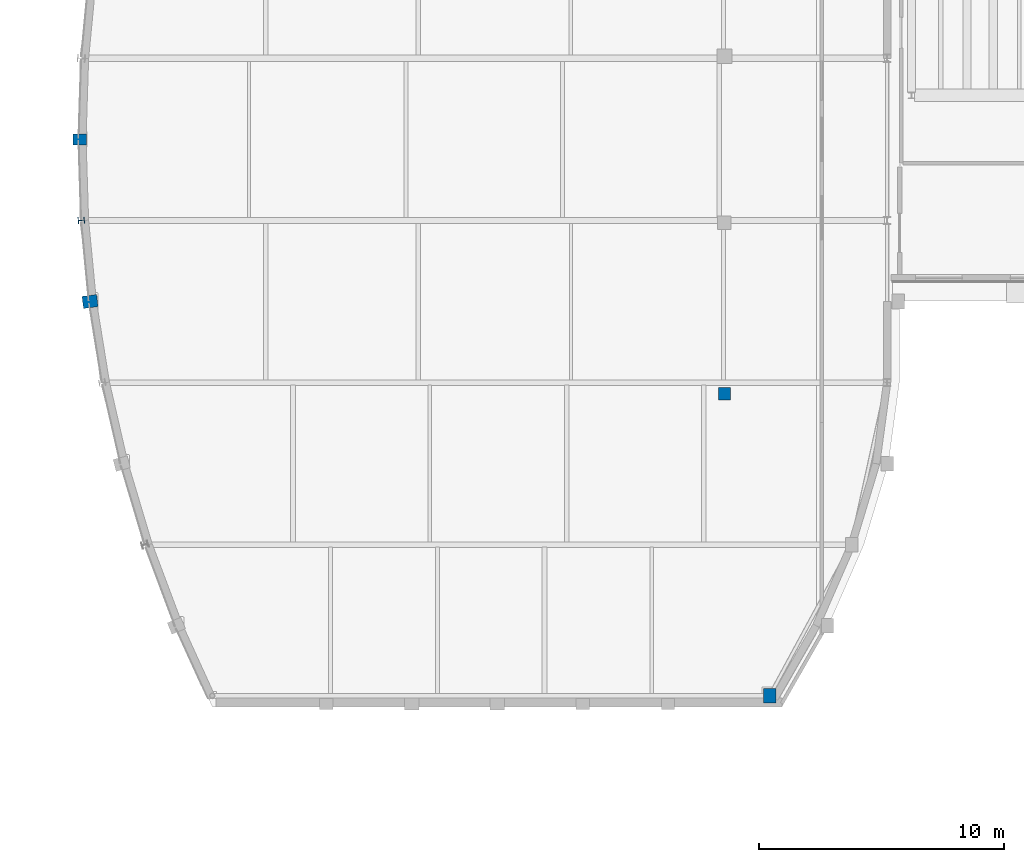
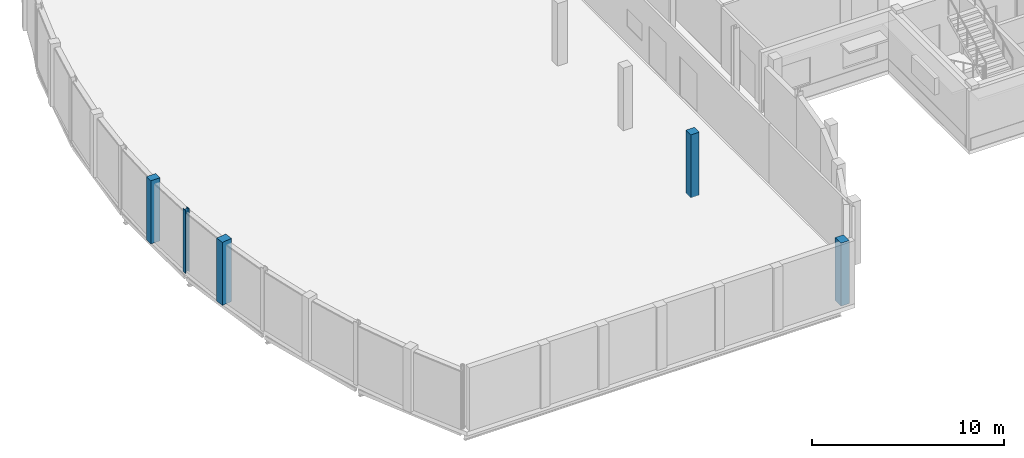
# One storey, part 3 of 105: 5 columns.
"""IFC4 building model written with IfcOpenShell, lengths in metres."""

from ifc_helpers import new_model, si_unit, direction, frame, origin, origin_2d, place, context, subcontext, project, spatial, rectangle, i_section, extrude, material, material_profile, profile_set, type_object, element, save


model = new_model("IFC4")

# Units and contexts
model_context = context("Model", 3, precision=1e-05, world=origin(), true_north=direction((0.0, 1.0)))
body_context = subcontext(model_context, "Body", "Model", "MODEL_VIEW")
ifc_project = project(units=[si_unit("LENGTHUNIT", "METRE"), si_unit("AREAUNIT", "SQUARE_METRE"), si_unit("VOLUMEUNIT", "CUBIC_METRE"), si_unit("PLANEANGLEUNIT", "RADIAN"), si_unit("MASSUNIT", "GRAM", prefix="KILO")], contexts=[model_context])

# Site, building, storey
site_placement = place(None, origin())
site = spatial("IfcSite", under=ifc_project, at=site_placement, CompositionType="ELEMENT")
building_placement = place(site_placement, origin())
building = spatial("IfcBuilding", under=site, at=building_placement, Name="Kelanivale Promenade Academy", CompositionType="ELEMENT")
storey_placement = place(building_placement, frame((0.0, 0.0, 4.199951171875)))
storey = spatial("IfcBuildingStorey", under=building, at=storey_placement, Name="L01", CompositionType="ELEMENT", Elevation=4.199951171875)

# Columns
ifc_material_1 = material(Name="Concrete C40/50", Category="concrete")
ifc_material_profile_1 = material_profile(ifc_material_1, rectangle(XDim=0.5, YDim=0.5, at=origin_2d()), Name="RC-COL 500x500")
ifc_profile_set_1 = profile_set([ifc_material_profile_1], Name="Concrete C40/50")
column_type_1 = type_object("IfcColumnType", Name="C-03 RC-COL 500x500", PredefinedType="COLUMN", material=ifc_profile_set_1)
column_1_placement = place(storey_placement, frame((28.800048828125, 45.800048828125, 0.0), z_axis=(0.0, 0.0, 1.0), x_axis=(1.0, 0.0, 0.0)))
element("IfcColumn", 1, at=column_1_placement, inside=storey, type_object=column_type_1, Name="Column C-03 at (28.8, 45.8) L01", PredefinedType="COLUMN", context=body_context, shape_type="SweptSolid", body=[
    extrude(rectangle(XDim=0.5, YDim=0.5, at=origin_2d()), origin(), (0.0, 0.0, 1.0), 4.0),
])
ifc_material_profile_2 = material_profile(ifc_material_1, rectangle(XDim=0.449951171875, YDim=0.550048828125, at=origin_2d()), Name="RC-PIL 450x550")
ifc_profile_set_2 = profile_set([ifc_material_profile_2], Name="Concrete C40/50")
column_type_2 = type_object("IfcColumnType", Name="PL-17 RC-PIL 450x550", PredefinedType="PILASTER", material=ifc_profile_set_2)
column_2_placement = place(storey_placement, frame((2.43994140625, 56.199951171875, 0.0), z_axis=(0.0, 0.0, 1.0), x_axis=(0.0, 1.0, 0.0)))
element("IfcColumn", 2, at=column_2_placement, inside=storey, type_object=column_type_2, Name="Column PL-17 at (2.4, 56.2) L01", PredefinedType="PILASTER", context=body_context, shape_type="SweptSolid", body=[
    extrude(rectangle(XDim=0.449951171875, YDim=0.550048828125, at=origin_2d()), origin(), (0.0, 0.0, 1.0), 4.0),
])
ifc_material_profile_3 = material_profile(ifc_material_1, rectangle(XDim=0.5, YDim=0.60009765625, at=origin_2d()), Name="RC-PIL 500x600")
ifc_profile_set_3 = profile_set([ifc_material_profile_3], Name="Concrete C40/50")
column_type_3 = type_object("IfcColumnType", Name="PL-18 RC-PIL 500x600", PredefinedType="PILASTER", material=ifc_profile_set_3)
for number, where, z_axis, x_axis, name in (
    (3, (2.864013671875, 49.571044921875, 0.0), (0.0, 0.0, 1.0), (-0.12741083733, 0.991850028246, 0.0), "Column PL-18 at (2.9, 49.6) L01"),
    (4, (30.64990234375, 33.449951171875, 0.0), (0.0, 0.0, 1.0), (1.0, 0.0, 0.0), "Column PL-18 at (30.6, 33.5) L01"),
):
    element("IfcColumn", number, at=place(storey_placement, frame(where, z_axis=z_axis, x_axis=x_axis)), inside=storey, type_object=column_type_3, Name=name, PredefinedType="PILASTER", context=body_context, shape_type="SweptSolid", body=[
        extrude(rectangle(XDim=0.5, YDim=0.60009765625, at=origin_2d()), origin(), (0.0, 0.0, 1.0), 4.0),
    ])
ifc_material_2 = material(Name="Steel S355", Category="steel")
ifc_material_profile_4 = material_profile(ifc_material_2, i_section(OverallWidth=0.25634765625, OverallDepth=0.26025390625, WebThickness=0.01025390625, FlangeThickness=0.017333984375, FilletRadius=0.0126953125, at=origin_2d()), Name="UC 254x254x89")
ifc_profile_set_4 = profile_set([ifc_material_profile_4], Name="Steel S355")
column_type_4 = type_object("IfcColumnType", Name="SC-03 UC 254x254x89", PredefinedType="COLUMN", material=ifc_profile_set_4)
column_3_placement = place(storey_placement, frame((2.506103515625, 52.885986328125, 0.0), z_axis=(0.0, 0.0, 1.0), x_axis=(-0.063661438132, 0.99797155335, 0.0)))
element("IfcColumn", 5, at=column_3_placement, inside=storey, type_object=column_type_4, Name="Column SC-03 at (2.5, 52.9) L01", PredefinedType="COLUMN", context=body_context, shape_type="SweptSolid", body=[
    extrude(i_section(OverallWidth=0.25634765625, OverallDepth=0.26025390625, WebThickness=0.01025390625, FlangeThickness=0.017333984375, FilletRadius=0.0126953125, at=origin_2d()), origin(), (0.0, 0.0, 1.0), 4.0),
])

save(model, "model.ifc")
